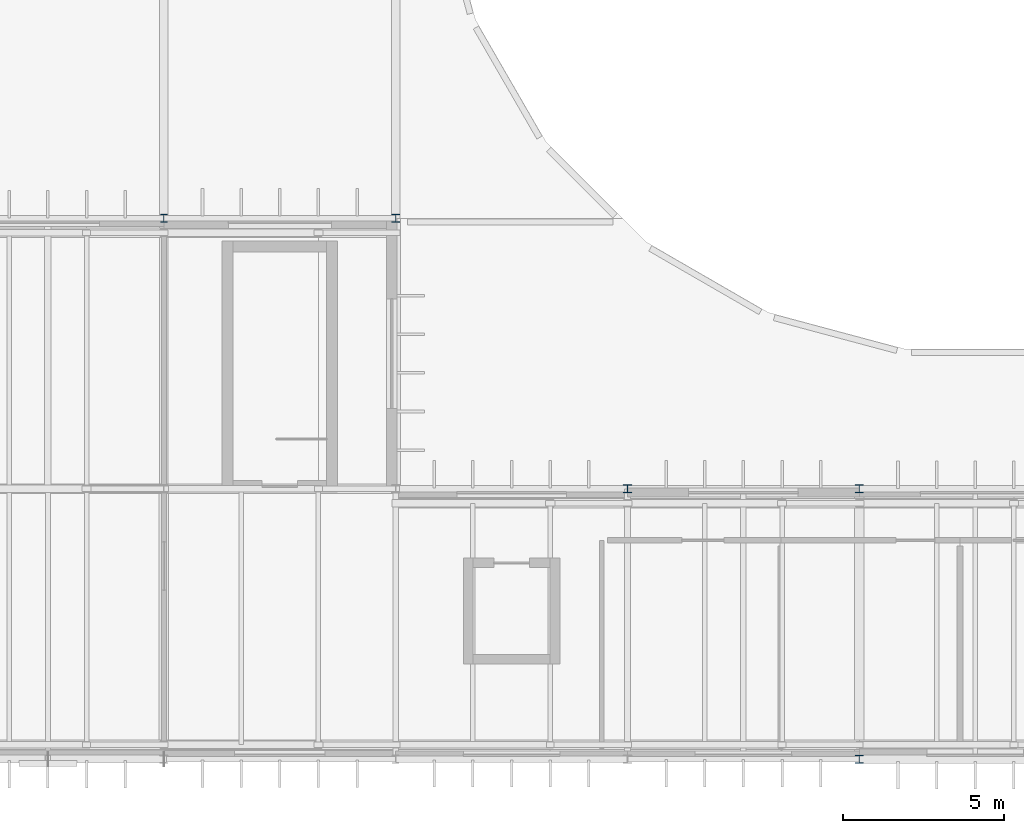
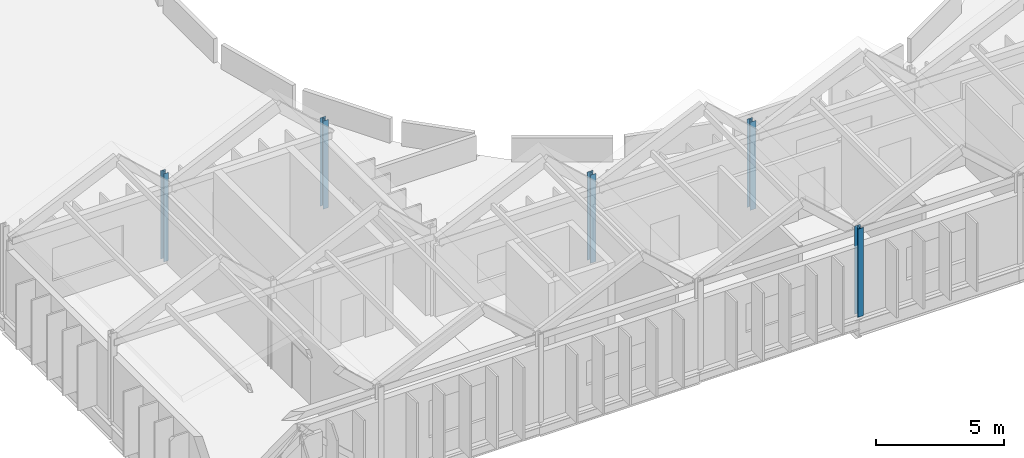
# One storey, part 5 of 52: 5 columns.
"""IFC4 building model written with IfcOpenShell, lengths in metres."""

from ifc_helpers import new_model, si_unit, direction, frame, origin, origin_2d, place, context, subcontext, project, spatial, i_section, extrude, material, material_profile, profile_set, type_object, element, save


model = new_model("IFC4")

# Units and contexts
model_context = context("Model", 3, precision=1e-05, world=origin(), true_north=direction((0.0, 1.0)))
body_context = subcontext(model_context, "Body", "Model", "MODEL_VIEW")
ifc_project = project(units=[si_unit("LENGTHUNIT", "METRE"), si_unit("AREAUNIT", "SQUARE_METRE"), si_unit("VOLUMEUNIT", "CUBIC_METRE"), si_unit("PLANEANGLEUNIT", "RADIAN"), si_unit("MASSUNIT", "GRAM", prefix="KILO")], contexts=[model_context])

# Site, building, storey
site_placement = place(None, origin())
site = spatial("IfcSite", under=ifc_project, at=site_placement, CompositionType="ELEMENT")
building_placement = place(site_placement, origin())
building = spatial("IfcBuilding", under=site, at=building_placement, Name="Qelthora Terrace Specialist Clinic", CompositionType="ELEMENT")
storey_placement = place(building_placement, frame((0.0, 0.0, 17.39990234375)))
storey = spatial("IfcBuildingStorey", under=building, at=storey_placement, Name="L04", CompositionType="ELEMENT", Elevation=17.39990234375)

# Columns
ifc_material = material(Name="Steel S355", Category="steel")
ifc_material_profile_1 = material_profile(ifc_material, i_section(OverallWidth=0.2041015625, OverallDepth=0.257080078125, WebThickness=0.0087890625, FlangeThickness=0.015625, FilletRadius=0.012939453125, at=origin_2d()), Name="W250X67")
ifc_profile_set_1 = profile_set([ifc_material_profile_1], Name="Steel S355")
column_type_1 = type_object("IfcColumnType", Name="COL-W250X67", PredefinedType="COLUMN", material=ifc_profile_set_1)
column_1_placement = place(storey_placement, frame((100.800048828125, 50.39990234375, 0.0), z_axis=(0.0, 0.0, 1.0), x_axis=(1.0, 0.0, 0.0)))
element("IfcColumn", 1, at=column_1_placement, inside=storey, type_object=column_type_1, Name="Column L04-167", PredefinedType="COLUMN", context=body_context, shape_type="SweptSolid", body=[
    extrude(i_section(OverallWidth=0.2041015625, OverallDepth=0.257080078125, WebThickness=0.0087890625, FlangeThickness=0.015625, FilletRadius=0.012939453125, at=origin_2d()), origin(), (0.0, 0.0, 1.0), 4.2001953125),
])
ifc_material_profile_2 = material_profile(ifc_material, i_section(OverallWidth=0.25390625, OverallDepth=0.2529296875, WebThickness=0.008544921875, FlangeThickness=0.01416015625, FilletRadius=0.012939453125, at=origin_2d()), Name="W250X73")
ifc_profile_set_2 = profile_set([ifc_material_profile_2], Name="Steel S355")
column_type_2 = type_object("IfcColumnType", Name="COL-W250X73", PredefinedType="COLUMN", material=ifc_profile_set_2)
column_2_placement = place(storey_placement, frame((122.39990234375, 42.0, 0.0), z_axis=(0.0, 0.0, 1.0), x_axis=(1.0, 0.0, 0.0)))
element("IfcColumn", 2, at=column_2_placement, inside=storey, type_object=column_type_2, Name="Column L04-202", PredefinedType="COLUMN", context=body_context, shape_type="SweptSolid", body=[
    extrude(i_section(OverallWidth=0.25390625, OverallDepth=0.2529296875, WebThickness=0.008544921875, FlangeThickness=0.01416015625, FilletRadius=0.012939453125, at=origin_2d()), origin(), (0.0, 0.0, 1.0), 4.2001953125),
])
ifc_material_profile_3 = material_profile(ifc_material, i_section(OverallWidth=0.2548828125, OverallDepth=0.256103515625, WebThickness=0.009521484375, FlangeThickness=0.015625, FilletRadius=0.012939453125, at=origin_2d()), Name="W250X80")
ifc_profile_set_3 = profile_set([ifc_material_profile_3], Name="Steel S355")
column_type_3 = type_object("IfcColumnType", Name="COL-W250X80", PredefinedType="COLUMN", material=ifc_profile_set_3)
for number, where, z_axis, x_axis, name in (
    (3, (108.0, 50.39990234375, 0.0), (0.0, 0.0, 1.0), (1.0, 0.0, 0.0), "Column L04-181"),
    (4, (115.199951171875, 42.0, 0.0), (0.0, 0.0, 1.0), (1.0, 0.0, 0.0), "Column L04-193"),
    (5, (122.39990234375, 33.60009765625, 0.0), (0.0, 0.0, 1.0), (1.0, 0.0, 0.0), "Column L04-201"),
):
    element("IfcColumn", number, at=place(storey_placement, frame(where, z_axis=z_axis, x_axis=x_axis)), inside=storey, type_object=column_type_3, Name=name, PredefinedType="COLUMN", context=body_context, shape_type="SweptSolid", body=[
        extrude(i_section(OverallWidth=0.2548828125, OverallDepth=0.256103515625, WebThickness=0.009521484375, FlangeThickness=0.015625, FilletRadius=0.012939453125, at=origin_2d()), origin(), (0.0, 0.0, 1.0), 4.2001953125),
    ])

save(model, "model.ifc")
